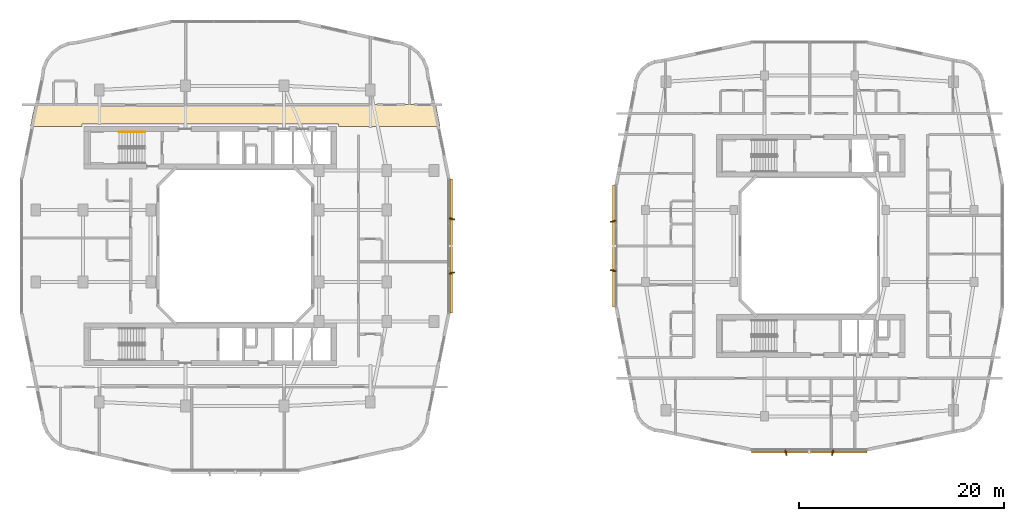
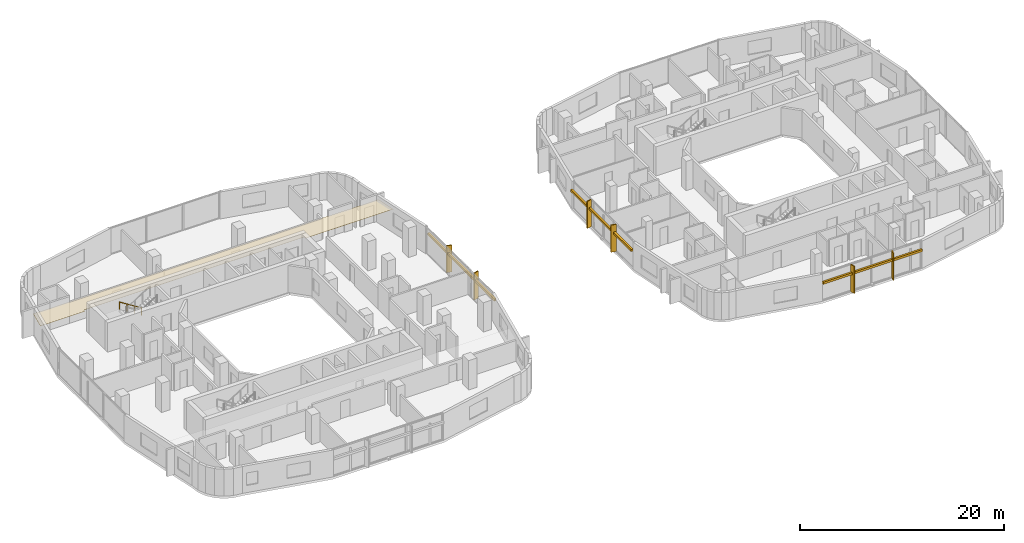
# One storey, part 25 of 26: 9 shading devices, 1 covering, 1 railing.
"""IFC4 building model written with IfcOpenShell, lengths in metres."""

from ifc_helpers import new_model, si_unit, derived_unit, direction, frame, origin, origin_2d, place, context, subcontext, project, spatial, polyline, rectangle, circle, outline, extrude, material, layer, layer_set, type_object, element, save


model = new_model("IFC4")

# Units and contexts
model_context = context("Model", 3, precision=1e-05, world=origin(), true_north=direction((0.0, 1.0)))
body_context = subcontext(model_context, "Body", "Model", "MODEL_VIEW")
ifc_project = project(units=[si_unit("LENGTHUNIT", "METRE"), si_unit("AREAUNIT", "SQUARE_METRE"), si_unit("VOLUMEUNIT", "CUBIC_METRE"), si_unit("PLANEANGLEUNIT", "RADIAN"), si_unit("MASSUNIT", "GRAM", prefix="KILO"), derived_unit("THERMALTRANSMITTANCEUNIT", [(si_unit("POWERUNIT", "WATT"), 1), (si_unit("LENGTHUNIT", "METRE"), -2), (si_unit("THERMODYNAMICTEMPERATUREUNIT", "KELVIN"), -1)])], contexts=[model_context])

# Site, building, storey
site_placement = place(None, origin())
site = spatial("IfcSite", under=ifc_project, at=site_placement, CompositionType="ELEMENT")
building_placement = place(site_placement, origin())
building = spatial("IfcBuilding", under=site, at=building_placement, Name="Kivonza Crest Hotel", CompositionType="ELEMENT")
storey_placement = place(building_placement, frame((0.0, 0.0, 66.0)))
storey = spatial("IfcBuildingStorey", under=building, at=storey_placement, Name="L17", CompositionType="ELEMENT", Elevation=66.0)

# Covering
ifc_material_1 = material(Name="Mineral-fibre acoustic ceiling tile", Category="gypsum")
ifc_layer = layer(ifc_material_1, 0.02490234375)
ifc_layer_set = layer_set([ifc_layer], Name="Mineral-fibre acoustic ceiling tile")
covering_type = type_object("IfcCoveringType", Name="CV-CEIL-ACOU", PredefinedType="CEILING", material=ifc_layer_set)
covering_placement = place(storey_placement, frame((0.0, 0.0, 2.449951171875)))
element("IfcCovering", 1, at=covering_placement, inside=storey, type_object=covering_type, Name="L17 Hotel North Guest Corridor suspended ceiling", PredefinedType="CEILING", context=body_context, shape_type="SweptSolid", body=[
    extrude(outline(polyline([(1.506103515625, 38.7900390625), (1.06396484375, 36.6201171875), (6.10009765625, 36.6201171875), (6.10009765625, 36.860107421875), (31.10009765625, 36.860107421875), (31.10009765625, 36.6201171875), (41.01611328125, 36.6201171875), (40.573974609375, 38.7900390625), (1.506103515625, 38.7900390625)])), origin(), (0.0, 0.0, 1.0), 0.025146484375),
])

# Railing
ifc_material_2 = material(Name="Brushed stainless steel handrail", Category="steel")
railing_type = type_object("IfcRailingType", Name="RL-HAND-900", PredefinedType="HANDRAIL", material=ifc_material_2)
railing_placement = place(storey_placement, frame((12.239990234375, 36.110107421875, 0.175048828125)))
element("IfcRailing", 2, at=railing_placement, inside=storey, type_object=railing_type, Name="L17 ST-T1-N stair handrail 1", PredefinedType="HANDRAIL", context=body_context, shape_type="SweptSolid", body=[
    extrude(circle(Radius=0.02392578125, at=origin_2d()), frame((0.0, 0.0, 0.8759765625), z_axis=(-0.848007534815, 0.0, 0.529984170421), x_axis=(0.0, -1.0, 0.0)), (0.0, 0.0, 1.0), 2.9716796875),
    extrude(circle(Radius=0.02099609375, at=origin_2d()), origin(), (0.0, 0.0, 1.0), 0.851806640625),
    extrude(circle(Radius=0.02099609375, at=origin_2d()), frame((-0.840087890625, 0.0, 0.52490234375)), (0.0, 0.0, 1.0), 0.851806640625),
    extrude(circle(Radius=0.02099609375, at=origin_2d()), frame((-1.679931640625, 0.0, 1.050048828125)), (0.0, 0.0, 1.0), 0.851806640625),
    extrude(circle(Radius=0.02099609375, at=origin_2d()), frame((-2.52001953125, 0.0, 1.574951171875)), (0.0, 0.0, 1.0), 0.851806640625),
])

# Shading devices
ifc_material_3 = material(Name="Kiln-fired Nairobi red-ochre terracotta", Category="masonry")
shading_device_type_1 = type_object("IfcShadingDeviceType", Name="SH-BAGUETTE-300", PredefinedType="USERDEFINED", material=ifc_material_3)
shading_device_1_placement = place(storey_placement, frame((42.080078125, 25.0, 2.1240234375), z_axis=(0.0, 0.0, 1.0), x_axis=(0.0, 1.0, 0.0)))
element("IfcShadingDevice", 3, at=shading_device_1_placement, inside=storey, type_object=shading_device_type_1, Name="L17 terracotta baguette screen CW-T1-L17-17", ObjectType="BAGUETTE", PredefinedType="USERDEFINED", context=body_context, shape_type="SweptSolid", body=[
    extrude(rectangle(XDim=13.080078125, YDim=0.219970703125, at=origin_2d()), origin(), (0.0, 0.0, 1.0), 0.260009765625),
])
shading_device_2_placement = place(storey_placement, frame((76.9599609375, 4.919921875, 2.14501953125), z_axis=(0.0, 0.0, 1.0), x_axis=(1.0, 0.0, 0.0)))
element("IfcShadingDevice", 4, at=shading_device_2_placement, inside=storey, type_object=shading_device_type_1, Name="L17 terracotta baguette screen CW-T2-L17-08", ObjectType="BAGUETTE", PredefinedType="USERDEFINED", context=body_context, shape_type="SweptSolid", body=[
    extrude(rectangle(XDim=11.256103515625, YDim=0.219970703125, at=origin_2d()), origin(), (0.0, 0.0, 1.0), 0.260009765625),
])
shading_device_3_placement = place(storey_placement, frame((57.919921875, 25.0, 2.14501953125), z_axis=(0.0, 0.0, 1.0), x_axis=(0.0, -1.0, 0.0)))
element("IfcShadingDevice", 5, at=shading_device_3_placement, inside=storey, type_object=shading_device_type_1, Name="L17 terracotta baguette screen CW-T2-L17-35", ObjectType="BAGUETTE", PredefinedType="USERDEFINED", context=body_context, shape_type="SweptSolid", body=[
    extrude(rectangle(XDim=11.8798828125, YDim=0.219970703125, at=origin_2d()), origin(), (0.0, 0.0, 1.0), 0.260009765625),
])
ifc_material_4 = material(Name="Kiln-fired terracotta over extruded aluminium spine", Category="masonry")
shading_device_type_2 = type_object("IfcShadingDeviceType", Name="SH-FIN-550", PredefinedType="USERDEFINED", material=ifc_material_4)
for number, where, z_axis, x_axis, name in (
    (6, (42.139892578125, 22.360107421875, 0.0), (0.0, 0.0, 1.0), (-0.2419218956, 0.970295726276, 0.0), "L17 vertical solar shading fin CW-T1-L17-17-1"),
    (7, (42.139892578125, 27.639892578125, 0.0), (0.0, 0.0, 1.0), (0.2419218956, 0.970295726276, 0.0), "L17 vertical solar shading fin CW-T1-L17-17-2"),
):
    element("IfcShadingDevice", number, at=place(storey_placement, frame(where, z_axis=z_axis, x_axis=x_axis)), inside=storey, type_object=shading_device_type_2, Name=name, ObjectType="FIN", PredefinedType="USERDEFINED", context=body_context, shape_type="SweptSolid", body=[
        extrude(rectangle(XDim=0.1201171875, YDim=0.550048828125, at=origin_2d()), origin(), (0.0, 0.0, 1.0), 3.219970703125),
    ])
for number, where, z_axis, x_axis, name in (
    (8, (74.68505859375, 4.860107421875, 0.0), (0.0, 0.0, 1.0), (0.970295726276, 0.2419218956, 0.0), "L17 vertical solar shading fin CW-T2-L17-08-1"),
    (9, (79.235107421875, 4.860107421875, 0.0), (0.0, 0.0, 1.0), (0.970295726276, -0.2419218956, 0.0), "L17 vertical solar shading fin CW-T2-L17-08-2"),
    (10, (57.860107421875, 27.39990234375, 0.0), (0.0, 0.0, 1.0), (0.2419218956, -0.970295726276, 0.0), "L17 vertical solar shading fin CW-T2-L17-35-1"),
    (11, (57.860107421875, 22.60009765625, 0.0), (0.0, 0.0, 1.0), (-0.2419218956, -0.970295726276, 0.0), "L17 vertical solar shading fin CW-T2-L17-35-2"),
):
    element("IfcShadingDevice", number, at=place(storey_placement, frame(where, z_axis=z_axis, x_axis=x_axis)), inside=storey, type_object=shading_device_type_2, Name=name, ObjectType="FIN", PredefinedType="USERDEFINED", context=body_context, shape_type="SweptSolid", body=[
        extrude(rectangle(XDim=0.1201171875, YDim=0.550048828125, at=origin_2d()), origin(), (0.0, 0.0, 1.0), 3.25),
    ])

save(model, "model.ifc")
